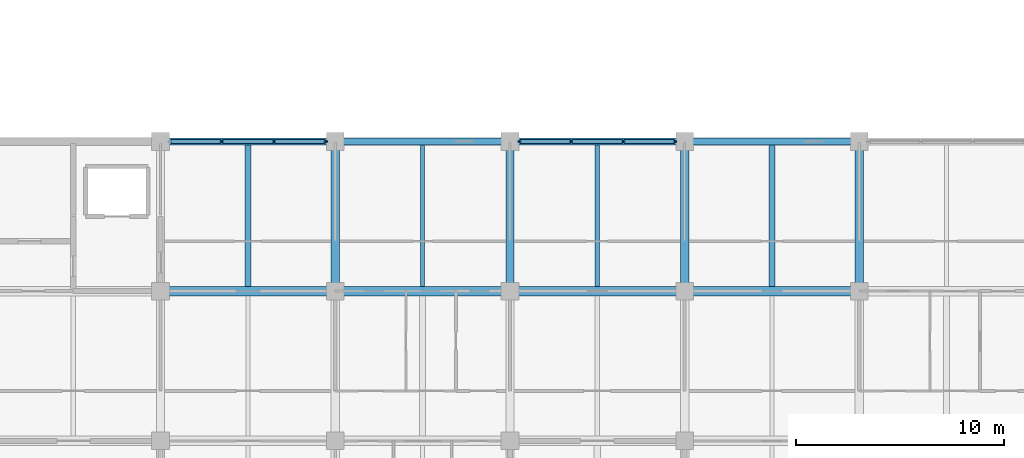
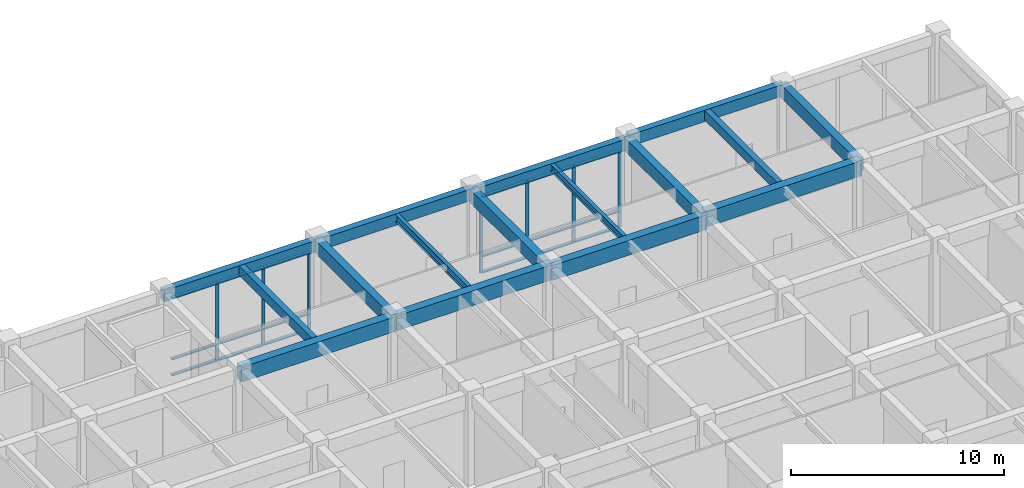
# One storey, part 24 of 58: 25 members, 16 beams, 2 elements without a shape of their own.
"""IFC4 building model written with IfcOpenShell, lengths in metres."""

from ifc_helpers import new_model, si_unit, direction, frame, origin, origin_2d, place, context, subcontext, project, spatial, rectangle, i_section, extrude, material, layer, layer_set, material_profile, profile_set, type_object, element, aggregate, save


model = new_model("IFC4")

# Units and contexts
model_context = context("Model", 3, precision=1e-05, world=origin(), true_north=direction((0.0, 1.0)))
body_context = subcontext(model_context, "Body", "Model", "MODEL_VIEW")
ifc_project = project(units=[si_unit("LENGTHUNIT", "METRE"), si_unit("AREAUNIT", "SQUARE_METRE"), si_unit("VOLUMEUNIT", "CUBIC_METRE"), si_unit("PLANEANGLEUNIT", "RADIAN"), si_unit("MASSUNIT", "GRAM", prefix="KILO")], contexts=[model_context])

# Site, building, storey
site_placement = place(None, origin())
site = spatial("IfcSite", under=ifc_project, at=site_placement, CompositionType="ELEMENT")
building_placement = place(site_placement, origin())
building = spatial("IfcBuilding", under=site, at=building_placement, Name="Chengyuan Square Courthouse", CompositionType="ELEMENT")
storey_placement = place(building_placement, frame((0.0, 0.0, 16.199951171875)))
storey = spatial("IfcBuildingStorey", under=building, at=storey_placement, Name="L04", CompositionType="ELEMENT", Elevation=16.199951171875)

# Beams
ifc_material_1 = material(Name="Concrete C40", Category="concrete")
ifc_material_profile_1 = material_profile(ifc_material_1, rectangle(XDim=0.449951171875, YDim=0.85009765625, at=origin_2d()), Name="RC-BM-450x850")
ifc_profile_set_1 = profile_set([ifc_material_profile_1], Name="Concrete C40")
beam_type_1 = type_object("IfcBeamType", Name="BM-01", PredefinedType="USERDEFINED", material=ifc_profile_set_1)
beam_1_placement = place(storey_placement, frame((126.0, 100.800048828125, 4.695068359375), z_axis=(1.0, 0.0, 0.0), x_axis=(0.0, 1.0, 0.0)))
element("IfcBeam", 1, at=beam_1_placement, inside=storey, type_object=beam_type_1, Name="Girder BM-L04-2936", ObjectType="GIRDER", PredefinedType="USERDEFINED", context=body_context, shape_type="SweptSolid", body=[
    extrude(rectangle(XDim=0.449951171875, YDim=0.85009765625, at=origin_2d()), origin(), (0.0, 0.0, 1.0), 8.39990234375),
])
beam_2_placement = place(storey_placement, frame((134.39990234375, 100.800048828125, 4.695068359375), z_axis=(1.0, 0.0, 0.0), x_axis=(0.0, 1.0, 0.0)))
element("IfcBeam", 2, at=beam_2_placement, inside=storey, type_object=beam_type_1, Name="Girder BM-L04-2937", ObjectType="GIRDER", PredefinedType="USERDEFINED", context=body_context, shape_type="SweptSolid", body=[
    extrude(rectangle(XDim=0.449951171875, YDim=0.85009765625, at=origin_2d()), origin(), (0.0, 0.0, 1.0), 8.400146484375),
])
beam_3_placement = place(storey_placement, frame((142.800048828125, 100.800048828125, 4.625), z_axis=(1.0, 0.0, 0.0), x_axis=(0.0, 1.0, 0.0)))
element("IfcBeam", 3, at=beam_3_placement, inside=storey, type_object=beam_type_1, Name="Girder BM-L04-2938", ObjectType="GIRDER", PredefinedType="USERDEFINED", context=body_context, shape_type="SweptSolid", body=[
    extrude(rectangle(XDim=0.449951171875, YDim=0.85009765625, at=origin_2d()), origin(), (0.0, 0.0, 1.0), 8.39990234375),
])
beam_4_placement = place(storey_placement, frame((151.199951171875, 100.800048828125, 4.775146484375), z_axis=(1.0, 0.0, 0.0), x_axis=(0.0, 1.0, 0.0)))
element("IfcBeam", 4, at=beam_4_placement, inside=storey, type_object=beam_type_1, Name="Girder BM-L04-2939", ObjectType="GIRDER", PredefinedType="USERDEFINED", context=body_context, shape_type="SweptSolid", body=[
    extrude(rectangle(XDim=0.449951171875, YDim=0.85009765625, at=origin_2d()), origin(), (0.0, 0.0, 1.0), 8.400146484375),
])
ifc_material_profile_2 = material_profile(ifc_material_1, rectangle(XDim=0.39990234375, YDim=0.75, at=origin_2d()), Name="RC-BM-400x750")
ifc_profile_set_2 = profile_set([ifc_material_profile_2], Name="Concrete C40")
beam_type_2 = type_object("IfcBeamType", Name="BM-02", PredefinedType="USERDEFINED", material=ifc_profile_set_2)
for number, where, z_axis, x_axis, name in (
    (5, (134.39990234375, 100.800048828125, 4.7451171875), (0.0, 1.0, 0.0), (-1.0, 0.0, 0.0), "Girder BM-L04-3064"),
    (6, (142.800048828125, 100.800048828125, 4.675048828125), (0.0, 1.0, 0.0), (-1.0, 0.0, 0.0), "Girder BM-L04-3068"),
    (7, (151.199951171875, 100.800048828125, 4.675048828125), (0.0, 1.0, 0.0), (-1.0, 0.0, 0.0), "Girder BM-L04-3078"),
    (8, (159.60009765625, 100.800048828125, 4.824951171875), (0.0, 1.0, 0.0), (-1.0, 0.0, 0.0), "Girder BM-L04-3082"),
):
    element("IfcBeam", number, at=place(storey_placement, frame(where, z_axis=z_axis, x_axis=x_axis)), inside=storey, type_object=beam_type_2, Name=name, ObjectType="GIRDER", PredefinedType="USERDEFINED", context=body_context, shape_type="SweptSolid", body=[
        extrude(rectangle(XDim=0.39990234375, YDim=0.75, at=origin_2d()), origin(), (0.0, 0.0, 1.0), 7.199951171875),
    ])
ifc_material_profile_3 = material_profile(ifc_material_1, rectangle(XDim=0.35009765625, YDim=0.64990234375, at=origin_2d()), Name="RC-BM-350x650")
ifc_profile_set_3 = profile_set([ifc_material_profile_3], Name="Concrete C40")
beam_type_3 = type_object("IfcBeamType", Name="BM-03", PredefinedType="SPANDREL", material=ifc_profile_set_3)
beam_5_placement = place(storey_placement, frame((126.0, 108.0, 4.795166015625), z_axis=(1.0, 0.0, 0.0), x_axis=(0.0, 1.0, 0.0)))
element("IfcBeam", 9, at=beam_5_placement, inside=storey, type_object=beam_type_3, Name="Girder BM-L04-2956", PredefinedType="SPANDREL", context=body_context, shape_type="SweptSolid", body=[
    extrude(rectangle(XDim=0.35009765625, YDim=0.64990234375, at=origin_2d()), origin(), (0.0, 0.0, 1.0), 8.39990234375),
])
beam_6_placement = place(storey_placement, frame((134.39990234375, 108.0, 4.795166015625), z_axis=(1.0, 0.0, 0.0), x_axis=(0.0, 1.0, 0.0)))
element("IfcBeam", 10, at=beam_6_placement, inside=storey, type_object=beam_type_3, Name="Girder BM-L04-2957", PredefinedType="SPANDREL", context=body_context, shape_type="SweptSolid", body=[
    extrude(rectangle(XDim=0.35009765625, YDim=0.64990234375, at=origin_2d()), origin(), (0.0, 0.0, 1.0), 8.400146484375),
])
beam_7_placement = place(storey_placement, frame((142.800048828125, 108.0, 4.72509765625), z_axis=(1.0, 0.0, 0.0), x_axis=(0.0, 1.0, 0.0)))
element("IfcBeam", 11, at=beam_7_placement, inside=storey, type_object=beam_type_3, Name="Girder BM-L04-2958", PredefinedType="SPANDREL", context=body_context, shape_type="SweptSolid", body=[
    extrude(rectangle(XDim=0.35009765625, YDim=0.64990234375, at=origin_2d()), origin(), (0.0, 0.0, 1.0), 8.39990234375),
])
beam_8_placement = place(storey_placement, frame((151.199951171875, 108.0, 4.875), z_axis=(1.0, 0.0, 0.0), x_axis=(0.0, 1.0, 0.0)))
element("IfcBeam", 12, at=beam_8_placement, inside=storey, type_object=beam_type_3, Name="Girder BM-L04-2959", PredefinedType="SPANDREL", context=body_context, shape_type="SweptSolid", body=[
    extrude(rectangle(XDim=0.35009765625, YDim=0.64990234375, at=origin_2d()), origin(), (0.0, 0.0, 1.0), 8.400146484375),
])
ifc_material_profile_4 = material_profile(ifc_material_1, rectangle(XDim=0.300048828125, YDim=0.550048828125, at=origin_2d()), Name="RC-BM-300x550")
ifc_profile_set_4 = profile_set([ifc_material_profile_4], Name="Concrete C40")
beam_type_4 = type_object("IfcBeamType", Name="BM-04", PredefinedType="BEAM", material=ifc_profile_set_4)
for number, where, z_axis, x_axis, name in (
    (13, (130.199951171875, 101.02490234375, 4.844970703125), (0.0, 1.0, 0.0), (-1.0, 0.0, 0.0), "Secondary Floor Beam SBM-L04-3166"),
    (14, (155.39990234375, 101.02490234375, 4.925048828125), (0.0, 1.0, 0.0), (-1.0, 0.0, 0.0), "Secondary Floor Beam SBM-L04-3184"),
):
    element("IfcBeam", number, at=place(storey_placement, frame(where, z_axis=z_axis, x_axis=x_axis)), inside=storey, type_object=beam_type_4, Name=name, PredefinedType="BEAM", context=body_context, shape_type="SweptSolid", body=[
        extrude(rectangle(XDim=0.300048828125, YDim=0.550048828125, at=origin_2d()), origin(), (0.0, 0.0, 1.0), 6.800048828125),
    ])
ifc_material_2 = material(Name="Steel Q355B", Category="steel")
ifc_material_profile_5 = material_profile(ifc_material_2, i_section(OverallWidth=0.199951171875, OverallDepth=0.449951171875, WebThickness=0.009033203125, FlangeThickness=0.013916015625, at=origin_2d()), Name="HN 450x200x9x14")
ifc_profile_set_5 = profile_set([ifc_material_profile_5], Name="Steel Q355B")
beam_type_5 = type_object("IfcBeamType", Name="BM-06", PredefinedType="BEAM", material=ifc_profile_set_5)
beam_9_placement = place(storey_placement, frame((138.60009765625, 101.02490234375, 4.89501953125), z_axis=(0.0, 1.0, 0.0), x_axis=(-1.0, 0.0, 0.0)))
element("IfcBeam", 15, at=beam_9_placement, inside=storey, type_object=beam_type_5, Name="Secondary Floor Beam SBM-L04-3170", PredefinedType="BEAM", context=body_context, shape_type="SweptSolid", body=[
    extrude(i_section(OverallWidth=0.199951171875, OverallDepth=0.449951171875, WebThickness=0.009033203125, FlangeThickness=0.013916015625, at=origin_2d()), origin(), (0.0, 0.0, 1.0), 6.800048828125),
])
ifc_material_profile_6 = material_profile(ifc_material_2, i_section(OverallWidth=0.199951171875, OverallDepth=0.39990234375, WebThickness=0.008056640625, FlangeThickness=0.012939453125, at=origin_2d()), Name="HN 400x200x8x13")
ifc_profile_set_6 = profile_set([ifc_material_profile_6], Name="Steel Q355B")
beam_type_6 = type_object("IfcBeamType", Name="BM-07", PredefinedType="BEAM", material=ifc_profile_set_6)
beam_10_placement = place(storey_placement, frame((147.0, 101.02490234375, 4.85009765625), z_axis=(0.0, 1.0, 0.0), x_axis=(-1.0, 0.0, 0.0)))
element("IfcBeam", 16, at=beam_10_placement, inside=storey, type_object=beam_type_6, Name="Secondary Floor Beam SBM-L04-3174", PredefinedType="BEAM", context=body_context, shape_type="SweptSolid", body=[
    extrude(i_section(OverallWidth=0.199951171875, OverallDepth=0.39990234375, WebThickness=0.008056640625, FlangeThickness=0.012939453125, at=origin_2d()), origin(), (0.0, 0.0, 1.0), 6.800048828125),
])

# Curtain wall, members
ifc_material_3 = material(Name="Unitised Aluminium and Triple Low-E Glass", Category="aluminium")
ifc_layer = layer(ifc_material_3, 0.179931640625)
ifc_layer_set = layer_set([ifc_layer], Name="Unitised Aluminium and Triple Low-E Glass")
curtain_wall_type = type_object("IfcCurtainWallType", Name="CW-10", PredefinedType="USERDEFINED", material=ifc_layer_set)
curtain_wall_1_placement = place(storey_placement, origin())
curtain_wall_1 = element("IfcCurtainWall", 17, at=curtain_wall_1_placement, inside=storey, type_object=curtain_wall_type, Name="Unitised Curtain Wall CW-L04-152", ObjectType="UNITISED CURTAIN WALL", PredefinedType="USERDEFINED")
ifc_material_4 = material(Name="Aluminium 6063-T6 Frame", Category="aluminium")
ifc_material_profile_7 = material_profile(ifc_material_4, rectangle(XDim=0.06494140625, YDim=0.179931640625, at=origin_2d()), Name="CW-MUL-65x180")
ifc_profile_set_7 = profile_set([ifc_material_profile_7], Name="Aluminium 6063-T6 Frame")
member_type_1 = type_object("IfcMemberType", Name="CWM-02", PredefinedType="MULLION", material=ifc_profile_set_7)
member_1_placement = place(storey_placement, frame((128.941650390625, 108.0, 0.0), z_axis=(0.0, 0.0, 1.0), x_axis=(0.0, 1.0, 0.0)))
member_1 = element("IfcMember", 18, at=member_1_placement, type_object=member_type_1, Name="CW-10 mullion 2", PredefinedType="MULLION", context=body_context, shape_type="SweptSolid", body=[
    extrude(rectangle(XDim=0.06494140625, YDim=0.179931640625, at=origin_2d()), origin(), (0.0, 0.0, 1.0), 4.469970703125),
])
member_2_placement = place(storey_placement, frame((131.458251953125, 108.0, 0.0), z_axis=(0.0, 0.0, 1.0), x_axis=(0.0, 1.0, 0.0)))
member_2 = element("IfcMember", 19, at=member_2_placement, type_object=member_type_1, Name="CW-10 mullion 3", PredefinedType="MULLION", context=body_context, shape_type="SweptSolid", body=[
    extrude(rectangle(XDim=0.06494140625, YDim=0.179931640625, at=origin_2d()), origin(), (0.0, 0.0, 1.0), 4.469970703125),
])
member_3_placement = place(storey_placement, frame((133.9423828125, 108.0, 0.0), z_axis=(0.0, 0.0, 1.0), x_axis=(0.0, 1.0, 0.0)))
member_3 = element("IfcMember", 20, at=member_3_placement, type_object=member_type_1, Name="CW-10 mullion 4", PredefinedType="MULLION", context=body_context, shape_type="SweptSolid", body=[
    extrude(rectangle(XDim=0.06494140625, YDim=0.179931640625, at=origin_2d()), origin(), (0.0, 0.0, 1.0), 4.469970703125),
])

curtain_wall_2_placement = place(storey_placement, origin())
curtain_wall_2 = element("IfcCurtainWall", 21, at=curtain_wall_2_placement, inside=storey, type_object=curtain_wall_type, Name="Unitised Curtain Wall CW-L04-155", ObjectType="UNITISED CURTAIN WALL", PredefinedType="USERDEFINED")
member_4_placement = place(storey_placement, frame((143.257568359375, 108.0, 0.0), z_axis=(0.0, 0.0, 1.0), x_axis=(0.0, 1.0, 0.0)))
member_4 = element("IfcMember", 22, at=member_4_placement, type_object=member_type_1, Name="CW-10 mullion 1", PredefinedType="MULLION", context=body_context, shape_type="SweptSolid", body=[
    extrude(rectangle(XDim=0.06494140625, YDim=0.179931640625, at=origin_2d()), origin(), (0.0, 0.0, 1.0), 4.400146484375),
])
member_5_placement = place(storey_placement, frame((145.74169921875, 108.0, 0.0), z_axis=(0.0, 0.0, 1.0), x_axis=(0.0, 1.0, 0.0)))
member_5 = element("IfcMember", 23, at=member_5_placement, type_object=member_type_1, Name="CW-10 mullion 2", PredefinedType="MULLION", context=body_context, shape_type="SweptSolid", body=[
    extrude(rectangle(XDim=0.06494140625, YDim=0.179931640625, at=origin_2d()), origin(), (0.0, 0.0, 1.0), 4.400146484375),
])
member_6_placement = place(storey_placement, frame((148.25830078125, 108.0, 0.0), z_axis=(0.0, 0.0, 1.0), x_axis=(0.0, 1.0, 0.0)))
member_6 = element("IfcMember", 24, at=member_6_placement, type_object=member_type_1, Name="CW-10 mullion 3", PredefinedType="MULLION", context=body_context, shape_type="SweptSolid", body=[
    extrude(rectangle(XDim=0.06494140625, YDim=0.179931640625, at=origin_2d()), origin(), (0.0, 0.0, 1.0), 4.400146484375),
])
member_7_placement = place(storey_placement, frame((150.742431640625, 108.0, 0.0), z_axis=(0.0, 0.0, 1.0), x_axis=(0.0, 1.0, 0.0)))
member_7 = element("IfcMember", 25, at=member_7_placement, type_object=member_type_1, Name="CW-10 mullion 4", PredefinedType="MULLION", context=body_context, shape_type="SweptSolid", body=[
    extrude(rectangle(XDim=0.06494140625, YDim=0.179931640625, at=origin_2d()), origin(), (0.0, 0.0, 1.0), 4.400146484375),
])

# Member
ifc_material_profile_8 = material_profile(ifc_material_4, rectangle(XDim=0.179931640625, YDim=0.06494140625, at=origin_2d()), Name="CW-TRN-65x140")
ifc_profile_set_8 = profile_set([ifc_material_profile_8], Name="Aluminium 6063-T6 Frame")
member_type_2 = type_object("IfcMemberType", Name="CWT-02", PredefinedType="USERDEFINED", material=ifc_profile_set_8)
member_8_placement = place(storey_placement, frame((126.489990234375, 108.0, 0.032470703125), z_axis=(1.0, 0.0, 0.0), x_axis=(0.0, 1.0, 0.0)))
member_8 = element("IfcMember", 26, at=member_8_placement, type_object=member_type_2, Name="CW-10 transom 1.1", ObjectType="TRANSOM", PredefinedType="USERDEFINED", context=body_context, shape_type="SweptSolid", body=[
    extrude(rectangle(XDim=0.179931640625, YDim=0.06494140625, at=origin_2d()), origin(), (0.0, 0.0, 1.0), 2.419189453125),
])

member_9_placement = place(storey_placement, frame((126.489990234375, 108.0, 0.949951171875), z_axis=(1.0, 0.0, 0.0), x_axis=(0.0, 1.0, 0.0)))
member_9 = element("IfcMember", 27, at=member_9_placement, type_object=member_type_2, Name="CW-10 transom 1.2", ObjectType="TRANSOM", PredefinedType="USERDEFINED", context=body_context, shape_type="SweptSolid", body=[
    extrude(rectangle(XDim=0.179931640625, YDim=0.06494140625, at=origin_2d()), origin(), (0.0, 0.0, 1.0), 2.419189453125),
])

member_10_placement = place(storey_placement, frame((126.489990234375, 108.0, 4.4375), z_axis=(1.0, 0.0, 0.0), x_axis=(0.0, 1.0, 0.0)))
member_10 = element("IfcMember", 28, at=member_10_placement, type_object=member_type_2, Name="CW-10 transom 1.3", ObjectType="TRANSOM", PredefinedType="USERDEFINED", context=body_context, shape_type="SweptSolid", body=[
    extrude(rectangle(XDim=0.179931640625, YDim=0.06494140625, at=origin_2d()), origin(), (0.0, 0.0, 1.0), 2.419189453125),
])

member_11_placement = place(storey_placement, frame((128.97412109375, 108.0, 0.032470703125), z_axis=(1.0, 0.0, 0.0), x_axis=(0.0, 1.0, 0.0)))
member_11 = element("IfcMember", 29, at=member_11_placement, type_object=member_type_2, Name="CW-10 transom 2.1", ObjectType="TRANSOM", PredefinedType="USERDEFINED", context=body_context, shape_type="SweptSolid", body=[
    extrude(rectangle(XDim=0.179931640625, YDim=0.06494140625, at=origin_2d()), origin(), (0.0, 0.0, 1.0), 2.45166015625),
])

member_12_placement = place(storey_placement, frame((128.97412109375, 108.0, 0.949951171875), z_axis=(1.0, 0.0, 0.0), x_axis=(0.0, 1.0, 0.0)))
member_12 = element("IfcMember", 30, at=member_12_placement, type_object=member_type_2, Name="CW-10 transom 2.2", ObjectType="TRANSOM", PredefinedType="USERDEFINED", context=body_context, shape_type="SweptSolid", body=[
    extrude(rectangle(XDim=0.179931640625, YDim=0.06494140625, at=origin_2d()), origin(), (0.0, 0.0, 1.0), 2.45166015625),
])

member_13_placement = place(storey_placement, frame((128.97412109375, 108.0, 4.4375), z_axis=(1.0, 0.0, 0.0), x_axis=(0.0, 1.0, 0.0)))
member_13 = element("IfcMember", 31, at=member_13_placement, type_object=member_type_2, Name="CW-10 transom 2.3", ObjectType="TRANSOM", PredefinedType="USERDEFINED", context=body_context, shape_type="SweptSolid", body=[
    extrude(rectangle(XDim=0.179931640625, YDim=0.06494140625, at=origin_2d()), origin(), (0.0, 0.0, 1.0), 2.45166015625),
])

member_14_placement = place(storey_placement, frame((131.49072265625, 108.0, 0.032470703125), z_axis=(1.0, 0.0, 0.0), x_axis=(0.0, 1.0, 0.0)))
member_14 = element("IfcMember", 32, at=member_14_placement, type_object=member_type_2, Name="CW-10 transom 3.1", ObjectType="TRANSOM", PredefinedType="USERDEFINED", context=body_context, shape_type="SweptSolid", body=[
    extrude(rectangle(XDim=0.179931640625, YDim=0.06494140625, at=origin_2d()), origin(), (0.0, 0.0, 1.0), 2.419189453125),
])

member_15_placement = place(storey_placement, frame((131.49072265625, 108.0, 0.949951171875), z_axis=(1.0, 0.0, 0.0), x_axis=(0.0, 1.0, 0.0)))
member_15 = element("IfcMember", 33, at=member_15_placement, type_object=member_type_2, Name="CW-10 transom 3.2", ObjectType="TRANSOM", PredefinedType="USERDEFINED", context=body_context, shape_type="SweptSolid", body=[
    extrude(rectangle(XDim=0.179931640625, YDim=0.06494140625, at=origin_2d()), origin(), (0.0, 0.0, 1.0), 2.419189453125),
])

member_16_placement = place(storey_placement, frame((131.49072265625, 108.0, 4.4375), z_axis=(1.0, 0.0, 0.0), x_axis=(0.0, 1.0, 0.0)))
member_16 = element("IfcMember", 34, at=member_16_placement, type_object=member_type_2, Name="CW-10 transom 3.3", ObjectType="TRANSOM", PredefinedType="USERDEFINED", context=body_context, shape_type="SweptSolid", body=[
    extrude(rectangle(XDim=0.179931640625, YDim=0.06494140625, at=origin_2d()), origin(), (0.0, 0.0, 1.0), 2.419189453125),
])

aggregate(curtain_wall_1, [member_1, member_2, member_3, member_8, member_9, member_10, member_11, member_12, member_13, member_14, member_15, member_16])

member_17_placement = place(storey_placement, frame((143.2900390625, 108.0, 0.032470703125), z_axis=(1.0, 0.0, 0.0), x_axis=(0.0, 1.0, 0.0)))
member_17 = element("IfcMember", 35, at=member_17_placement, type_object=member_type_2, Name="CW-10 transom 1.1", ObjectType="TRANSOM", PredefinedType="USERDEFINED", context=body_context, shape_type="SweptSolid", body=[
    extrude(rectangle(XDim=0.179931640625, YDim=0.06494140625, at=origin_2d()), origin(), (0.0, 0.0, 1.0), 2.419189453125),
])

member_18_placement = place(storey_placement, frame((143.2900390625, 108.0, 0.949951171875), z_axis=(1.0, 0.0, 0.0), x_axis=(0.0, 1.0, 0.0)))
member_18 = element("IfcMember", 36, at=member_18_placement, type_object=member_type_2, Name="CW-10 transom 1.2", ObjectType="TRANSOM", PredefinedType="USERDEFINED", context=body_context, shape_type="SweptSolid", body=[
    extrude(rectangle(XDim=0.179931640625, YDim=0.06494140625, at=origin_2d()), origin(), (0.0, 0.0, 1.0), 2.419189453125),
])

member_19_placement = place(storey_placement, frame((143.2900390625, 108.0, 4.367431640625), z_axis=(1.0, 0.0, 0.0), x_axis=(0.0, 1.0, 0.0)))
member_19 = element("IfcMember", 37, at=member_19_placement, type_object=member_type_2, Name="CW-10 transom 1.3", ObjectType="TRANSOM", PredefinedType="USERDEFINED", context=body_context, shape_type="SweptSolid", body=[
    extrude(rectangle(XDim=0.179931640625, YDim=0.06494140625, at=origin_2d()), origin(), (0.0, 0.0, 1.0), 2.419189453125),
])

member_20_placement = place(storey_placement, frame((145.774169921875, 108.0, 0.032470703125), z_axis=(1.0, 0.0, 0.0), x_axis=(0.0, 1.0, 0.0)))
member_20 = element("IfcMember", 38, at=member_20_placement, type_object=member_type_2, Name="CW-10 transom 2.1", ObjectType="TRANSOM", PredefinedType="USERDEFINED", context=body_context, shape_type="SweptSolid", body=[
    extrude(rectangle(XDim=0.179931640625, YDim=0.06494140625, at=origin_2d()), origin(), (0.0, 0.0, 1.0), 2.45166015625),
])

member_21_placement = place(storey_placement, frame((145.774169921875, 108.0, 0.949951171875), z_axis=(1.0, 0.0, 0.0), x_axis=(0.0, 1.0, 0.0)))
member_21 = element("IfcMember", 39, at=member_21_placement, type_object=member_type_2, Name="CW-10 transom 2.2", ObjectType="TRANSOM", PredefinedType="USERDEFINED", context=body_context, shape_type="SweptSolid", body=[
    extrude(rectangle(XDim=0.179931640625, YDim=0.06494140625, at=origin_2d()), origin(), (0.0, 0.0, 1.0), 2.45166015625),
])

member_22_placement = place(storey_placement, frame((145.774169921875, 108.0, 4.367431640625), z_axis=(1.0, 0.0, 0.0), x_axis=(0.0, 1.0, 0.0)))
member_22 = element("IfcMember", 40, at=member_22_placement, type_object=member_type_2, Name="CW-10 transom 2.3", ObjectType="TRANSOM", PredefinedType="USERDEFINED", context=body_context, shape_type="SweptSolid", body=[
    extrude(rectangle(XDim=0.179931640625, YDim=0.06494140625, at=origin_2d()), origin(), (0.0, 0.0, 1.0), 2.45166015625),
])

member_23_placement = place(storey_placement, frame((148.290771484375, 108.0, 0.032470703125), z_axis=(1.0, 0.0, 0.0), x_axis=(0.0, 1.0, 0.0)))
member_23 = element("IfcMember", 41, at=member_23_placement, type_object=member_type_2, Name="CW-10 transom 3.1", ObjectType="TRANSOM", PredefinedType="USERDEFINED", context=body_context, shape_type="SweptSolid", body=[
    extrude(rectangle(XDim=0.179931640625, YDim=0.06494140625, at=origin_2d()), origin(), (0.0, 0.0, 1.0), 2.419189453125),
])

member_24_placement = place(storey_placement, frame((148.290771484375, 108.0, 0.949951171875), z_axis=(1.0, 0.0, 0.0), x_axis=(0.0, 1.0, 0.0)))
member_24 = element("IfcMember", 42, at=member_24_placement, type_object=member_type_2, Name="CW-10 transom 3.2", ObjectType="TRANSOM", PredefinedType="USERDEFINED", context=body_context, shape_type="SweptSolid", body=[
    extrude(rectangle(XDim=0.179931640625, YDim=0.06494140625, at=origin_2d()), origin(), (0.0, 0.0, 1.0), 2.419189453125),
])

member_25_placement = place(storey_placement, frame((148.290771484375, 108.0, 4.367431640625), z_axis=(1.0, 0.0, 0.0), x_axis=(0.0, 1.0, 0.0)))
member_25 = element("IfcMember", 43, at=member_25_placement, type_object=member_type_2, Name="CW-10 transom 3.3", ObjectType="TRANSOM", PredefinedType="USERDEFINED", context=body_context, shape_type="SweptSolid", body=[
    extrude(rectangle(XDim=0.179931640625, YDim=0.06494140625, at=origin_2d()), origin(), (0.0, 0.0, 1.0), 2.419189453125),
])

aggregate(curtain_wall_2, [member_4, member_5, member_6, member_7, member_17, member_18, member_19, member_20, member_21, member_22, member_23, member_24, member_25])

save(model, "model.ifc")
